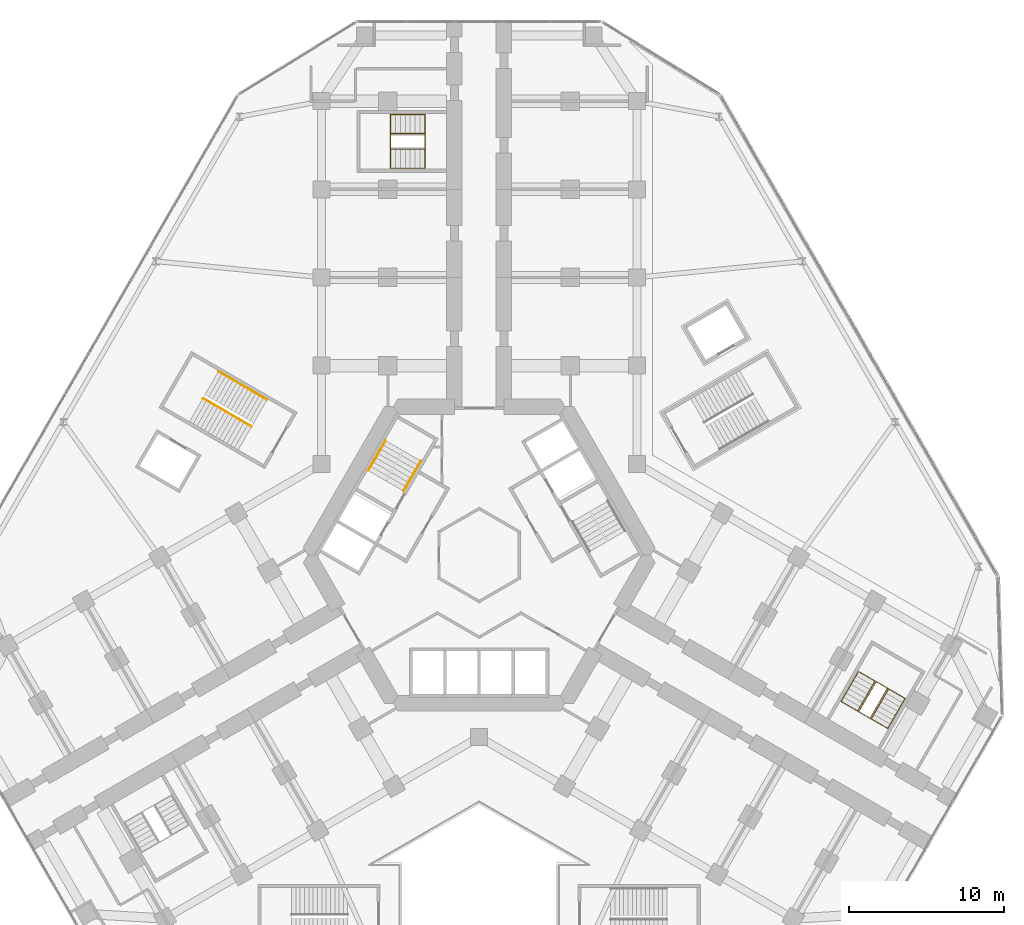
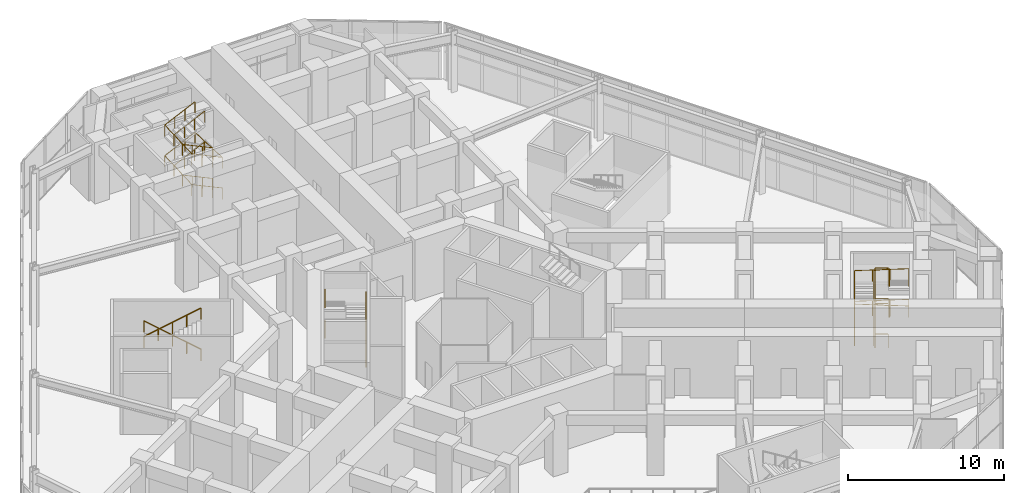
# One storey, part 21 of 22: 11 railings.
"""IFC4 building model written with IfcOpenShell, lengths in metres."""

from ifc_helpers import new_model, si_unit, direction, frame, origin, origin_2d, place, context, subcontext, project, spatial, circle, extrude, material, type_object, element, save


model = new_model("IFC4")

# Units and contexts
model_context = context("Model", 3, precision=1e-05, world=origin(), true_north=direction((0.0, 1.0)))
body_context = subcontext(model_context, "Body", "Model", "MODEL_VIEW")
ifc_project = project(units=[si_unit("LENGTHUNIT", "METRE"), si_unit("AREAUNIT", "SQUARE_METRE"), si_unit("VOLUMEUNIT", "CUBIC_METRE"), si_unit("PLANEANGLEUNIT", "RADIAN"), si_unit("MASSUNIT", "GRAM", prefix="KILO")], contexts=[model_context])

# Site, building, storey
site_placement = place(None, origin())
site = spatial("IfcSite", under=ifc_project, at=site_placement, CompositionType="ELEMENT")
building_placement = place(site_placement, origin())
building = spatial("IfcBuilding", under=site, at=building_placement, Name="Kosmar Iwan School Tower", CompositionType="ELEMENT")
storey_placement = place(building_placement, frame((0.0, 0.0, 10.800048828125)))
storey = spatial("IfcBuildingStorey", under=building, at=storey_placement, Name="L02", CompositionType="ELEMENT", Elevation=10.800048828125)

# Railings
ifc_material_1 = material(Name="Black steel", Category="steel")
railing_type_1 = type_object("IfcRailingType", Name="Stair handrail 900", PredefinedType="HANDRAIL", material=ifc_material_1)
railing_1_placement = place(storey_placement, frame((-4.89453125, 4.142333984375, 0.14990234375)))
element("IfcRailing", 1, at=railing_1_placement, inside=storey, type_object=railing_type_1, Name="Handrail ST2 flight 1", PredefinedType="HANDRAIL", context=body_context, shape_type="SweptSolid", body=[
    extrude(circle(Radius=0.02392578125, at=origin_2d()), frame((0.0, 0.0, 0.8759765625), z_axis=(0.45267848932, 0.784169015945, 0.424453931233), x_axis=(-0.866054910533, 0.49994888933, 0.0)), (0.0, 0.0, 1.0), 2.473876953125),
    extrude(circle(Radius=0.02099609375, at=origin_2d()), origin(), (0.0, 0.0, 1.0), 0.851806640625),
    extrude(circle(Radius=0.02099609375, at=origin_2d()), frame((0.373291015625, 0.646728515625, 0.35009765625)), (0.0, 0.0, 1.0), 0.851806640625),
    extrude(circle(Radius=0.02099609375, at=origin_2d()), frame((0.74658203125, 1.293212890625, 0.699951171875)), (0.0, 0.0, 1.0), 0.851806640625),
    extrude(circle(Radius=0.02099609375, at=origin_2d()), frame((1.119873046875, 1.93994140625, 1.050048828125)), (0.0, 0.0, 1.0), 0.851806640625),
])
railing_2_placement = place(storey_placement, frame((-6.05224609375, 7.397216796875, 1.349853515625)))
element("IfcRailing", 2, at=railing_2_placement, inside=storey, type_object=railing_type_1, Name="Handrail ST2 flight 2", PredefinedType="HANDRAIL", context=body_context, shape_type="SweptSolid", body=[
    extrude(circle(Radius=0.02392578125, at=origin_2d()), frame((0.0, 0.0, 0.8759765625), z_axis=(-0.452756948549, -0.784133982819, 0.424434968551), x_axis=(0.866007717299, -0.500030632641, 0.0)), (0.0, 0.0, 1.0), 2.473876953125),
    extrude(circle(Radius=0.02099609375, at=origin_2d()), origin(), (0.0, 0.0, 1.0), 0.851806640625),
    extrude(circle(Radius=0.02099609375, at=origin_2d()), frame((-0.373291015625, -0.646728515625, 0.35009765625)), (0.0, 0.0, 1.0), 0.851806640625),
    extrude(circle(Radius=0.02099609375, at=origin_2d()), frame((-0.746826171875, -1.293212890625, 0.699951171875)), (0.0, 0.0, 1.0), 0.851806640625),
    extrude(circle(Radius=0.02099609375, at=origin_2d()), frame((-1.1201171875, -1.93994140625, 1.050048828125)), (0.0, 0.0, 1.0), 0.851806640625),
])
railing_3_placement = place(storey_placement, frame((-4.89453125, 4.142333984375, 2.550048828125)))
element("IfcRailing", 3, at=railing_3_placement, inside=storey, type_object=railing_type_1, Name="Handrail ST2 flight 3", PredefinedType="HANDRAIL", context=body_context, shape_type="SweptSolid", body=[
    extrude(circle(Radius=0.02392578125, at=origin_2d()), frame((0.0, 0.0, 0.8759765625), z_axis=(0.452697450193, 0.784201861617, 0.424373018494), x_axis=(-0.866054910533, 0.49994888933, 0.0)), (0.0, 0.0, 1.0), 2.473876953125),
    extrude(circle(Radius=0.02099609375, at=origin_2d()), origin(), (0.0, 0.0, 1.0), 0.851806640625),
    extrude(circle(Radius=0.02099609375, at=origin_2d()), frame((0.373291015625, 0.646728515625, 0.349853515625)), (0.0, 0.0, 1.0), 0.851806640625),
    extrude(circle(Radius=0.02099609375, at=origin_2d()), frame((0.74658203125, 1.293212890625, 0.699951171875)), (0.0, 0.0, 1.0), 0.851806640625),
    extrude(circle(Radius=0.02099609375, at=origin_2d()), frame((1.119873046875, 1.93994140625, 1.0498046875)), (0.0, 0.0, 1.0), 0.851806640625),
])
railing_4_placement = place(storey_placement, frame((-6.05224609375, 7.397216796875, 3.75)))
element("IfcRailing", 4, at=railing_4_placement, inside=storey, type_object=railing_type_1, Name="Handrail ST2 flight 4", PredefinedType="HANDRAIL", context=body_context, shape_type="SweptSolid", body=[
    extrude(circle(Radius=0.02392578125, at=origin_2d()), frame((0.0, 0.0, 0.8759765625), z_axis=(-0.452756948549, -0.784133982819, 0.424434968551), x_axis=(0.866007717299, -0.500030632641, 0.0)), (0.0, 0.0, 1.0), 2.473876953125),
    extrude(circle(Radius=0.02099609375, at=origin_2d()), origin(), (0.0, 0.0, 1.0), 0.851806640625),
    extrude(circle(Radius=0.02099609375, at=origin_2d()), frame((-0.373291015625, -0.646728515625, 0.35009765625)), (0.0, 0.0, 1.0), 0.851806640625),
    extrude(circle(Radius=0.02099609375, at=origin_2d()), frame((-0.746826171875, -1.293212890625, 0.699951171875)), (0.0, 0.0, 1.0), 0.851806640625),
    extrude(circle(Radius=0.02099609375, at=origin_2d()), frame((-1.1201171875, -1.93994140625, 1.050048828125)), (0.0, 0.0, 1.0), 0.851806640625),
])
railing_5_placement = place(storey_placement, frame((-3.5, 25.010009765625, 0.14990234375)))
element("IfcRailing", 5, at=railing_5_placement, inside=storey, type_object=railing_type_1, Name="Handrail stair WS1 L02 wall side", PredefinedType="HANDRAIL", context=body_context, shape_type="SweptSolid", body=[
    extrude(circle(Radius=0.02392578125, at=origin_2d()), frame((0.0, 0.0, 0.8759765625), z_axis=(-0.905450639465, 0.0, 0.424451574969), x_axis=(0.0, -1.0, 0.0)), (0.0, 0.0, 1.0), 2.473876953125),
    extrude(circle(Radius=0.02392578125, at=origin_2d()), frame((-2.239990234375, 0.0, 1.92578125), z_axis=(0.0, 0.999073534241, 0.0430357198), x_axis=(-1.0, 0.0, 0.0)), (0.0, 0.0, 1.0), 3.483154296875),
    extrude(circle(Radius=0.02392578125, at=origin_2d()), frame((-2.239990234375, 3.47998046875, 2.07568359375), z_axis=(0.905450639465, 0.0, 0.424451574969), x_axis=(0.0, 1.0, 0.0)), (0.0, 0.0, 1.0), 2.473876953125),
    extrude(circle(Radius=0.02392578125, at=origin_2d()), frame((0.0, 3.47998046875, 3.1259765625), z_axis=(0.0, -0.99907051819, 0.043105680419), x_axis=(1.0, 0.0, 0.0)), (0.0, 0.0, 1.0), 3.483154296875),
    extrude(circle(Radius=0.02392578125, at=origin_2d()), frame((0.0, 0.0, 3.27587890625), z_axis=(-0.905488564713, 0.0, 0.424370662481), x_axis=(0.0, -1.0, 0.0)), (0.0, 0.0, 1.0), 2.473876953125),
    extrude(circle(Radius=0.02392578125, at=origin_2d()), frame((-2.239990234375, 0.0, 4.32568359375), z_axis=(0.0, 0.99907051819, 0.043105680419), x_axis=(-1.0, 0.0, 0.0)), (0.0, 0.0, 1.0), 3.483154296875),
    extrude(circle(Radius=0.02392578125, at=origin_2d()), frame((-2.239990234375, 3.47998046875, 4.47607421875), z_axis=(0.905450639465, 0.0, 0.424451574969), x_axis=(0.0, 1.0, 0.0)), (0.0, 0.0, 1.0), 2.473876953125),
    extrude(circle(Radius=0.02099609375, at=origin_2d()), origin(), (0.0, 0.0, 1.0), 0.851806640625),
    extrude(circle(Radius=0.02099609375, at=origin_2d()), frame((-0.74658203125, 0.0, 0.35009765625)), (0.0, 0.0, 1.0), 0.851806640625),
    extrude(circle(Radius=0.02099609375, at=origin_2d()), frame((-1.493408203125, 0.0, 0.699951171875)), (0.0, 0.0, 1.0), 0.851806640625),
    extrude(circle(Radius=0.02099609375, at=origin_2d()), frame((-2.239990234375, 0.0, 1.050048828125)), (0.0, 0.0, 1.0), 0.851806640625),
    extrude(circle(Radius=0.02099609375, at=origin_2d()), frame((-2.239990234375, 1.159912109375, 1.10009765625)), (0.0, 0.0, 1.0), 0.851806640625),
    extrude(circle(Radius=0.02099609375, at=origin_2d()), frame((-2.239990234375, 2.320068359375, 1.14990234375)), (0.0, 0.0, 1.0), 0.851806640625),
    extrude(circle(Radius=0.02099609375, at=origin_2d()), frame((-2.239990234375, 3.47998046875, 1.199951171875)), (0.0, 0.0, 1.0), 0.851806640625),
    extrude(circle(Radius=0.02099609375, at=origin_2d()), frame((-1.493408203125, 3.47998046875, 1.550048828125)), (0.0, 0.0, 1.0), 0.851806640625),
    extrude(circle(Radius=0.02099609375, at=origin_2d()), frame((-0.74658203125, 3.47998046875, 1.89990234375)), (0.0, 0.0, 1.0), 0.851806640625),
    extrude(circle(Radius=0.02099609375, at=origin_2d()), frame((0.0, 3.47998046875, 2.25)), (0.0, 0.0, 1.0), 0.851806640625),
    extrude(circle(Radius=0.02099609375, at=origin_2d()), frame((0.0, 2.320068359375, 2.300048828125)), (0.0, 0.0, 1.0), 0.851806640625),
    extrude(circle(Radius=0.02099609375, at=origin_2d()), frame((0.0, 1.159912109375, 2.35009765625)), (0.0, 0.0, 1.0), 0.851806640625),
    extrude(circle(Radius=0.02099609375, at=origin_2d()), frame((0.0, 0.0, 2.400146484375)), (0.0, 0.0, 1.0), 0.851806640625),
    extrude(circle(Radius=0.02099609375, at=origin_2d()), frame((-0.74658203125, 0.0, 2.75)), (0.0, 0.0, 1.0), 0.851806640625),
    extrude(circle(Radius=0.02099609375, at=origin_2d()), frame((-1.493408203125, 0.0, 3.10009765625)), (0.0, 0.0, 1.0), 0.851806640625),
    extrude(circle(Radius=0.02099609375, at=origin_2d()), frame((-2.239990234375, 0.0, 3.449951171875)), (0.0, 0.0, 1.0), 0.851806640625),
    extrude(circle(Radius=0.02099609375, at=origin_2d()), frame((-2.239990234375, 1.159912109375, 3.5)), (0.0, 0.0, 1.0), 0.851806640625),
    extrude(circle(Radius=0.02099609375, at=origin_2d()), frame((-2.239990234375, 2.320068359375, 3.550048828125)), (0.0, 0.0, 1.0), 0.851806640625),
    extrude(circle(Radius=0.02099609375, at=origin_2d()), frame((-2.239990234375, 3.47998046875, 3.60009765625)), (0.0, 0.0, 1.0), 0.851806640625),
    extrude(circle(Radius=0.02099609375, at=origin_2d()), frame((-1.493408203125, 3.47998046875, 3.9501953125)), (0.0, 0.0, 1.0), 0.851806640625),
    extrude(circle(Radius=0.02099609375, at=origin_2d()), frame((-0.74658203125, 3.47998046875, 4.300048828125)), (0.0, 0.0, 1.0), 0.851806640625),
    extrude(circle(Radius=0.02099609375, at=origin_2d()), frame((0.0, 3.47998046875, 4.650146484375)), (0.0, 0.0, 1.0), 0.851806640625),
])
railing_6_placement = place(storey_placement, frame((-3.5, 26.239990234375, 0.14990234375)))
element("IfcRailing", 6, at=railing_6_placement, inside=storey, type_object=railing_type_1, Name="Handrail stair WS1 L02 well side", PredefinedType="HANDRAIL", context=body_context, shape_type="SweptSolid", body=[
    extrude(circle(Radius=0.02392578125, at=origin_2d()), frame((0.0, 0.0, 0.8759765625), z_axis=(-0.905450639465, 0.0, 0.424451574969), x_axis=(0.0, -1.0, 0.0)), (0.0, 0.0, 1.0), 2.473876953125),
    extrude(circle(Radius=0.02392578125, at=origin_2d()), frame((-2.239990234375, 0.0, 1.92578125), z_axis=(0.0, 0.989373166647, 0.145398545793), x_axis=(-1.0, 0.0, 0.0)), (0.0, 0.0, 1.0), 1.031005859375),
    extrude(circle(Radius=0.02392578125, at=origin_2d()), frame((-2.239990234375, 1.02001953125, 2.07568359375), z_axis=(0.905450639465, 0.0, 0.424451574969), x_axis=(0.0, 1.0, 0.0)), (0.0, 0.0, 1.0), 2.473876953125),
    extrude(circle(Radius=0.02392578125, at=origin_2d()), frame((0.0, 1.02001953125, 3.1259765625), z_axis=(0.0, -0.989339075395, 0.145630333023), x_axis=(1.0, 0.0, 0.0)), (0.0, 0.0, 1.0), 1.031005859375),
    extrude(circle(Radius=0.02392578125, at=origin_2d()), frame((0.0, 0.0, 3.27587890625), z_axis=(-0.905488564713, 0.0, 0.424370662481), x_axis=(0.0, -1.0, 0.0)), (0.0, 0.0, 1.0), 2.473876953125),
    extrude(circle(Radius=0.02392578125, at=origin_2d()), frame((-2.239990234375, 0.0, 4.32568359375), z_axis=(0.0, 0.989339075395, 0.145630333023), x_axis=(-1.0, 0.0, 0.0)), (0.0, 0.0, 1.0), 1.031005859375),
    extrude(circle(Radius=0.02392578125, at=origin_2d()), frame((-2.239990234375, 1.02001953125, 4.47607421875), z_axis=(0.905450639465, 0.0, 0.424451574969), x_axis=(0.0, 1.0, 0.0)), (0.0, 0.0, 1.0), 2.473876953125),
    extrude(circle(Radius=0.02099609375, at=origin_2d()), origin(), (0.0, 0.0, 1.0), 0.851806640625),
    extrude(circle(Radius=0.02099609375, at=origin_2d()), frame((-0.74658203125, 0.0, 0.35009765625)), (0.0, 0.0, 1.0), 0.851806640625),
    extrude(circle(Radius=0.02099609375, at=origin_2d()), frame((-1.493408203125, 0.0, 0.699951171875)), (0.0, 0.0, 1.0), 0.851806640625),
    extrude(circle(Radius=0.02099609375, at=origin_2d()), frame((-2.239990234375, 0.0, 1.050048828125)), (0.0, 0.0, 1.0), 0.851806640625),
    extrude(circle(Radius=0.02099609375, at=origin_2d()), frame((-2.239990234375, 1.02001953125, 1.199951171875)), (0.0, 0.0, 1.0), 0.851806640625),
    extrude(circle(Radius=0.02099609375, at=origin_2d()), frame((-1.493408203125, 1.02001953125, 1.550048828125)), (0.0, 0.0, 1.0), 0.851806640625),
    extrude(circle(Radius=0.02099609375, at=origin_2d()), frame((-0.74658203125, 1.02001953125, 1.89990234375)), (0.0, 0.0, 1.0), 0.851806640625),
    extrude(circle(Radius=0.02099609375, at=origin_2d()), frame((0.0, 1.02001953125, 2.25)), (0.0, 0.0, 1.0), 0.851806640625),
    extrude(circle(Radius=0.02099609375, at=origin_2d()), frame((0.0, 0.0, 2.400146484375)), (0.0, 0.0, 1.0), 0.851806640625),
    extrude(circle(Radius=0.02099609375, at=origin_2d()), frame((-0.74658203125, 0.0, 2.75)), (0.0, 0.0, 1.0), 0.851806640625),
    extrude(circle(Radius=0.02099609375, at=origin_2d()), frame((-1.493408203125, 0.0, 3.10009765625)), (0.0, 0.0, 1.0), 0.851806640625),
    extrude(circle(Radius=0.02099609375, at=origin_2d()), frame((-2.239990234375, 0.0, 3.449951171875)), (0.0, 0.0, 1.0), 0.851806640625),
    extrude(circle(Radius=0.02099609375, at=origin_2d()), frame((-2.239990234375, 1.02001953125, 3.60009765625)), (0.0, 0.0, 1.0), 0.851806640625),
    extrude(circle(Radius=0.02099609375, at=origin_2d()), frame((-1.493408203125, 1.02001953125, 3.9501953125)), (0.0, 0.0, 1.0), 0.851806640625),
    extrude(circle(Radius=0.02099609375, at=origin_2d()), frame((-0.74658203125, 1.02001953125, 4.300048828125)), (0.0, 0.0, 1.0), 0.851806640625),
    extrude(circle(Radius=0.02099609375, at=origin_2d()), frame((0.0, 1.02001953125, 4.650146484375)), (0.0, 0.0, 1.0), 0.851806640625),
])
railing_7_placement = place(storey_placement, frame((23.4091796875, -9.473876953125, 0.14990234375)))
element("IfcRailing", 7, at=railing_7_placement, inside=storey, type_object=railing_type_1, Name="Handrail stair WS3 L02 wall side", PredefinedType="HANDRAIL", context=body_context, shape_type="SweptSolid", body=[
    extrude(circle(Radius=0.02392578125, at=origin_2d()), frame((0.0, 0.0, 0.8759765625), z_axis=(0.452756948549, 0.784133982819, 0.424434968551), x_axis=(-0.866007717299, 0.500030632641, 0.0)), (0.0, 0.0, 1.0), 2.473876953125),
    extrude(circle(Radius=0.02392578125, at=origin_2d()), frame((1.1201171875, 1.93994140625, 1.92578125), z_axis=(0.865217314736, -0.499546646316, 0.043036570905), x_axis=(0.500009906705, 0.86601968407, 0.0)), (0.0, 0.0, 1.0), 3.483154296875),
    extrude(circle(Radius=0.02392578125, at=origin_2d()), frame((4.1337890625, 0.199951171875, 2.07568359375), z_axis=(-0.45267848932, -0.784169015945, 0.424453931233), x_axis=(0.866054910533, -0.49994888933, 0.0)), (0.0, 0.0, 1.0), 2.473876953125),
    extrude(circle(Radius=0.02392578125, at=origin_2d()), frame((3.013916015625, -1.739990234375, 3.1259765625), z_axis=(-0.865232322426, 0.499514845033, 0.043103918857), x_axis=(-0.499979528911, -0.866037222451, 0.0)), (0.0, 0.0, 1.0), 3.4833984375),
    extrude(circle(Radius=0.02392578125, at=origin_2d()), frame((0.0, 0.0, 3.27587890625), z_axis=(0.452775911014, 0.784166824089, 0.424354057838), x_axis=(-0.866007717299, 0.500030632641, 0.0)), (0.0, 0.0, 1.0), 2.473876953125),
    extrude(circle(Radius=0.02392578125, at=origin_2d()), frame((1.1201171875, 1.93994140625, 4.32568359375), z_axis=(0.865214702673, -0.499545138201, 0.043106532902), x_axis=(0.500009906705, 0.86601968407, 0.0)), (0.0, 0.0, 1.0), 3.483154296875),
    extrude(circle(Radius=0.02392578125, at=origin_2d()), frame((4.1337890625, 0.199951171875, 4.47607421875), z_axis=(-0.45267848932, -0.784169015945, 0.424453931233), x_axis=(0.866054910533, -0.49994888933, 0.0)), (0.0, 0.0, 1.0), 2.473876953125),
    extrude(circle(Radius=0.02099609375, at=origin_2d()), origin(), (0.0, 0.0, 1.0), 0.851806640625),
    extrude(circle(Radius=0.02099609375, at=origin_2d()), frame((0.373291015625, 0.646728515625, 0.35009765625)), (0.0, 0.0, 1.0), 0.851806640625),
    extrude(circle(Radius=0.02099609375, at=origin_2d()), frame((0.746826171875, 1.293212890625, 0.699951171875)), (0.0, 0.0, 1.0), 0.851806640625),
    extrude(circle(Radius=0.02099609375, at=origin_2d()), frame((1.1201171875, 1.93994140625, 1.050048828125)), (0.0, 0.0, 1.0), 0.851806640625),
    extrude(circle(Radius=0.02099609375, at=origin_2d()), frame((2.124755859375, 1.35986328125, 1.10009765625)), (0.0, 0.0, 1.0), 0.851806640625),
    extrude(circle(Radius=0.02099609375, at=origin_2d()), frame((3.129150390625, 0.780029296875, 1.14990234375)), (0.0, 0.0, 1.0), 0.851806640625),
    extrude(circle(Radius=0.02099609375, at=origin_2d()), frame((4.1337890625, 0.199951171875, 1.199951171875)), (0.0, 0.0, 1.0), 0.851806640625),
    extrude(circle(Radius=0.02099609375, at=origin_2d()), frame((3.760498046875, -0.44677734375, 1.550048828125)), (0.0, 0.0, 1.0), 0.851806640625),
    extrude(circle(Radius=0.02099609375, at=origin_2d()), frame((3.38720703125, -1.09326171875, 1.89990234375)), (0.0, 0.0, 1.0), 0.851806640625),
    extrude(circle(Radius=0.02099609375, at=origin_2d()), frame((3.013916015625, -1.739990234375, 2.25)), (0.0, 0.0, 1.0), 0.851806640625),
    extrude(circle(Radius=0.02099609375, at=origin_2d()), frame((2.00927734375, -1.159912109375, 2.300048828125)), (0.0, 0.0, 1.0), 0.851806640625),
    extrude(circle(Radius=0.02099609375, at=origin_2d()), frame((1.004638671875, -0.580078125, 2.35009765625)), (0.0, 0.0, 1.0), 0.851806640625),
    extrude(circle(Radius=0.02099609375, at=origin_2d()), frame((0.0, 0.0, 2.400146484375)), (0.0, 0.0, 1.0), 0.851806640625),
    extrude(circle(Radius=0.02099609375, at=origin_2d()), frame((0.373291015625, 0.646728515625, 2.75)), (0.0, 0.0, 1.0), 0.851806640625),
    extrude(circle(Radius=0.02099609375, at=origin_2d()), frame((0.746826171875, 1.293212890625, 3.10009765625)), (0.0, 0.0, 1.0), 0.851806640625),
    extrude(circle(Radius=0.02099609375, at=origin_2d()), frame((1.1201171875, 1.93994140625, 3.449951171875)), (0.0, 0.0, 1.0), 0.851806640625),
    extrude(circle(Radius=0.02099609375, at=origin_2d()), frame((2.124755859375, 1.35986328125, 3.5)), (0.0, 0.0, 1.0), 0.851806640625),
    extrude(circle(Radius=0.02099609375, at=origin_2d()), frame((3.129150390625, 0.780029296875, 3.550048828125)), (0.0, 0.0, 1.0), 0.851806640625),
    extrude(circle(Radius=0.02099609375, at=origin_2d()), frame((4.1337890625, 0.199951171875, 3.60009765625)), (0.0, 0.0, 1.0), 0.851806640625),
    extrude(circle(Radius=0.02099609375, at=origin_2d()), frame((3.760498046875, -0.44677734375, 3.9501953125)), (0.0, 0.0, 1.0), 0.851806640625),
    extrude(circle(Radius=0.02099609375, at=origin_2d()), frame((3.38720703125, -1.09326171875, 4.300048828125)), (0.0, 0.0, 1.0), 0.851806640625),
    extrude(circle(Radius=0.02099609375, at=origin_2d()), frame((3.013916015625, -1.739990234375, 4.650146484375)), (0.0, 0.0, 1.0), 0.851806640625),
])
railing_8_placement = place(storey_placement, frame((24.474609375, -10.0888671875, 0.14990234375)))
element("IfcRailing", 8, at=railing_8_placement, inside=storey, type_object=railing_type_1, Name="Handrail stair WS3 L02 well side", PredefinedType="HANDRAIL", context=body_context, shape_type="SweptSolid", body=[
    extrude(circle(Radius=0.02392578125, at=origin_2d()), frame((0.0, 0.0, 0.8759765625), z_axis=(0.45267848932, 0.784169015945, 0.424453931233), x_axis=(-0.866054910533, 0.49994888933, 0.0)), (0.0, 0.0, 1.0), 2.473876953125),
    extrude(circle(Radius=0.02392578125, at=origin_2d()), frame((1.119873046875, 1.93994140625, 1.92578125), z_axis=(0.856806295441, -0.494712092641, 0.145406043505), x_axis=(0.500026340207, 0.866010195725, 0.0)), (0.0, 0.0, 1.0), 1.031005859375),
    extrude(circle(Radius=0.02392578125, at=origin_2d()), frame((2.003173828125, 1.429931640625, 2.07568359375), z_axis=(-0.45267848932, -0.784169015945, 0.424453931233), x_axis=(0.866054910533, -0.49994888933, 0.0)), (0.0, 0.0, 1.0), 2.473876953125),
    extrude(circle(Radius=0.02392578125, at=origin_2d()), frame((0.88330078125, -0.510009765625, 3.1259765625), z_axis=(-0.856776769057, 0.494695044378, 0.14563784217), x_axis=(-0.500026340207, -0.866010195725, 0.0)), (0.0, 0.0, 1.0), 1.031005859375),
    extrude(circle(Radius=0.02392578125, at=origin_2d()), frame((0.0, 0.0, 3.27587890625), z_axis=(0.452697450193, 0.784201861617, 0.424373018494), x_axis=(-0.866054910533, 0.49994888933, 0.0)), (0.0, 0.0, 1.0), 2.473876953125),
    extrude(circle(Radius=0.02392578125, at=origin_2d()), frame((1.119873046875, 1.93994140625, 4.32568359375), z_axis=(0.856776769057, -0.494695044378, 0.14563784217), x_axis=(0.500026340207, 0.866010195725, 0.0)), (0.0, 0.0, 1.0), 1.031005859375),
    extrude(circle(Radius=0.02392578125, at=origin_2d()), frame((2.003173828125, 1.429931640625, 4.47607421875), z_axis=(-0.45267848932, -0.784169015945, 0.424453931233), x_axis=(0.866054910533, -0.49994888933, 0.0)), (0.0, 0.0, 1.0), 2.473876953125),
    extrude(circle(Radius=0.02099609375, at=origin_2d()), origin(), (0.0, 0.0, 1.0), 0.851806640625),
    extrude(circle(Radius=0.02099609375, at=origin_2d()), frame((0.373291015625, 0.646728515625, 0.35009765625)), (0.0, 0.0, 1.0), 0.851806640625),
    extrude(circle(Radius=0.02099609375, at=origin_2d()), frame((0.74658203125, 1.293212890625, 0.699951171875)), (0.0, 0.0, 1.0), 0.851806640625),
    extrude(circle(Radius=0.02099609375, at=origin_2d()), frame((1.119873046875, 1.93994140625, 1.050048828125)), (0.0, 0.0, 1.0), 0.851806640625),
    extrude(circle(Radius=0.02099609375, at=origin_2d()), frame((2.003173828125, 1.429931640625, 1.199951171875)), (0.0, 0.0, 1.0), 0.851806640625),
    extrude(circle(Radius=0.02099609375, at=origin_2d()), frame((1.6298828125, 0.783203125, 1.550048828125)), (0.0, 0.0, 1.0), 0.851806640625),
    extrude(circle(Radius=0.02099609375, at=origin_2d()), frame((1.256591796875, 0.13671875, 1.89990234375)), (0.0, 0.0, 1.0), 0.851806640625),
    extrude(circle(Radius=0.02099609375, at=origin_2d()), frame((0.88330078125, -0.510009765625, 2.25)), (0.0, 0.0, 1.0), 0.851806640625),
    extrude(circle(Radius=0.02099609375, at=origin_2d()), frame((0.0, 0.0, 2.400146484375)), (0.0, 0.0, 1.0), 0.851806640625),
    extrude(circle(Radius=0.02099609375, at=origin_2d()), frame((0.373291015625, 0.646728515625, 2.75)), (0.0, 0.0, 1.0), 0.851806640625),
    extrude(circle(Radius=0.02099609375, at=origin_2d()), frame((0.74658203125, 1.293212890625, 3.10009765625)), (0.0, 0.0, 1.0), 0.851806640625),
    extrude(circle(Radius=0.02099609375, at=origin_2d()), frame((1.119873046875, 1.93994140625, 3.449951171875)), (0.0, 0.0, 1.0), 0.851806640625),
    extrude(circle(Radius=0.02099609375, at=origin_2d()), frame((2.003173828125, 1.429931640625, 3.60009765625)), (0.0, 0.0, 1.0), 0.851806640625),
    extrude(circle(Radius=0.02099609375, at=origin_2d()), frame((1.6298828125, 0.783203125, 3.9501953125)), (0.0, 0.0, 1.0), 0.851806640625),
    extrude(circle(Radius=0.02099609375, at=origin_2d()), frame((1.256591796875, 0.13671875, 4.300048828125)), (0.0, 0.0, 1.0), 0.851806640625),
    extrude(circle(Radius=0.02099609375, at=origin_2d()), frame((0.88330078125, -0.510009765625, 4.650146484375)), (0.0, 0.0, 1.0), 0.851806640625),
])
railing_9_placement = place(storey_placement, frame((-13.7158203125, 10.04345703125, 0.17138671875)))
element("IfcRailing", 9, at=railing_9_placement, inside=storey, type_object=railing_type_1, Name="Handrail SS4 flight 1", PredefinedType="HANDRAIL", context=body_context, shape_type="SweptSolid", body=[
    extrude(circle(Radius=0.02392578125, at=origin_2d()), frame((0.0, 0.0, 0.8759765625), z_axis=(-0.738592093898, 0.426440834883, 0.522139764025), x_axis=(-0.500012742938, -0.866018046521, 0.0)), (0.0, 0.0, 1.0), 4.26806640625),
    extrude(circle(Radius=0.02099609375, at=origin_2d()), origin(), (0.0, 0.0, 1.0), 0.851806640625),
    extrude(circle(Radius=0.02099609375, at=origin_2d()), frame((-0.7880859375, 0.455078125, 0.55712890625)), (0.0, 0.0, 1.0), 0.851806640625),
    extrude(circle(Radius=0.02099609375, at=origin_2d()), frame((-1.576171875, 0.91015625, 1.1142578125)), (0.0, 0.0, 1.0), 0.851806640625),
    extrude(circle(Radius=0.02099609375, at=origin_2d()), frame((-2.3642578125, 1.364990234375, 1.67138671875)), (0.0, 0.0, 1.0), 0.851806640625),
    extrude(circle(Radius=0.02099609375, at=origin_2d()), frame((-3.15234375, 1.820068359375, 2.228515625)), (0.0, 0.0, 1.0), 0.851806640625),
])
railing_10_placement = place(storey_placement, frame((-17.8681640625, 10.13134765625, 2.5712890625)))
element("IfcRailing", 10, at=railing_10_placement, inside=storey, type_object=railing_type_1, Name="Handrail SS4 flight 2", PredefinedType="HANDRAIL", context=body_context, shape_type="SweptSolid", body=[
    extrude(circle(Radius=0.02392578125, at=origin_2d()), frame((0.0, 0.0, 0.8759765625), z_axis=(0.738588048336, -0.426381297421, 0.522194105736), x_axis=(0.499962438169, 0.866047089031, 0.0)), (0.0, 0.0, 1.0), 4.26806640625),
    extrude(circle(Radius=0.02099609375, at=origin_2d()), origin(), (0.0, 0.0, 1.0), 0.851806640625),
    extrude(circle(Radius=0.02099609375, at=origin_2d()), frame((0.7880859375, -0.455078125, 0.55712890625)), (0.0, 0.0, 1.0), 0.851806640625),
    extrude(circle(Radius=0.02099609375, at=origin_2d()), frame((1.576171875, -0.909912109375, 1.1142578125)), (0.0, 0.0, 1.0), 0.851806640625),
    extrude(circle(Radius=0.02099609375, at=origin_2d()), frame((2.3642578125, -1.36474609375, 1.671630859375)), (0.0, 0.0, 1.0), 0.851806640625),
    extrude(circle(Radius=0.02099609375, at=origin_2d()), frame((3.15234375, -1.81982421875, 2.228759765625)), (0.0, 0.0, 1.0), 0.851806640625),
])
ifc_material_2 = material(Name="Black steel", Category="steel")
railing_type_2 = type_object("IfcRailingType", Name="Stair well guard 1100", PredefinedType="GUARDRAIL", material=ifc_material_2)
railing_11_placement = place(storey_placement, frame((25.280029296875, -10.553955078125, 0.0)))
element("IfcRailing", 11, at=railing_11_placement, inside=storey, type_object=railing_type_2, Name="Stair WS3 L02 well guard", PredefinedType="GUARDRAIL", context=body_context, shape_type="SweptSolid", body=[
    extrude(circle(Radius=0.02392578125, at=origin_2d()), frame((0.0, 0.0, 1.076171875), z_axis=(-0.865962960534, 0.500108139288, 0.0), x_axis=(-0.500108139288, -0.865962960534, 0.0)), (0.0, 0.0, 1.0), 0.840087890625),
    extrude(circle(Radius=0.02392578125, at=origin_2d()), frame((-0.7275390625, 0.420166015625, 1.076171875), z_axis=(0.440730161534, 0.763375001828, 0.472245202515), x_axis=(-0.866027664105, 0.49999608499, 0.0)), (0.0, 0.0, 1.0), 2.541015625),
    extrude(circle(Radius=0.02392578125, at=origin_2d()), frame((0.392333984375, 2.35986328125, 2.27587890625), z_axis=(0.866088799389, -0.499890179513, 0.0), x_axis=(0.499890179513, 0.866088799389, 0.0)), (0.0, 0.0, 1.0), 0.840087890625),
    extrude(circle(Radius=0.02392578125, at=origin_2d()), frame((1.119873046875, 1.93994140625, 2.27587890625), z_axis=(-0.44069783685, -0.763415088643, 0.472210566408), x_axis=(0.866054910533, -0.49994888933, 0.0)), (0.0, 0.0, 1.0), 2.541015625),
    extrude(circle(Radius=0.02392578125, at=origin_2d()), frame((0.0, 0.0, 3.47607421875), z_axis=(-0.865962960534, 0.500108139288, 0.0), x_axis=(-0.500108139288, -0.865962960534, 0.0)), (0.0, 0.0, 1.0), 0.840087890625),
    extrude(circle(Radius=0.02392578125, at=origin_2d()), frame((-0.7275390625, 0.420166015625, 3.47607421875), z_axis=(0.440730161534, 0.763375001828, 0.472245202515), x_axis=(-0.866027664105, 0.49999608499, 0.0)), (0.0, 0.0, 1.0), 2.541015625),
    extrude(circle(Radius=0.02392578125, at=origin_2d()), frame((0.392333984375, 2.35986328125, 4.67578125), z_axis=(0.866088799389, -0.499890179513, 0.0), x_axis=(0.499890179513, 0.866088799389, 0.0)), (0.0, 0.0, 1.0), 0.840087890625),
    extrude(circle(Radius=0.02392578125, at=origin_2d()), frame((1.119873046875, 1.93994140625, 4.67578125), z_axis=(-0.440677842678, -0.763380453001, 0.472285213561), x_axis=(0.866054910533, -0.49994888933, 0.0)), (0.0, 0.0, 1.0), 2.541259765625),
    extrude(circle(Radius=0.02099609375, at=origin_2d()), origin(), (0.0, 0.0, 1.0), 1.052001953125),
    extrude(circle(Radius=0.02099609375, at=origin_2d()), frame((-0.7275390625, 0.420166015625, 0.0)), (0.0, 0.0, 1.0), 1.052001953125),
    extrude(circle(Radius=0.02099609375, at=origin_2d()), frame((-0.354248046875, 1.066650390625, 0.39990234375)), (0.0, 0.0, 1.0), 1.052001953125),
    extrude(circle(Radius=0.02099609375, at=origin_2d()), frame((0.01904296875, 1.71337890625, 0.800048828125)), (0.0, 0.0, 1.0), 1.052001953125),
    extrude(circle(Radius=0.02099609375, at=origin_2d()), frame((0.392333984375, 2.35986328125, 1.199951171875)), (0.0, 0.0, 1.0), 1.052001953125),
    extrude(circle(Radius=0.02099609375, at=origin_2d()), frame((1.119873046875, 1.93994140625, 1.199951171875)), (0.0, 0.0, 1.0), 1.052001953125),
    extrude(circle(Radius=0.02099609375, at=origin_2d()), frame((0.74658203125, 1.293212890625, 1.599853515625)), (0.0, 0.0, 1.0), 1.052001953125),
    extrude(circle(Radius=0.02099609375, at=origin_2d()), frame((0.373291015625, 0.646728515625, 2.0)), (0.0, 0.0, 1.0), 1.052001953125),
    extrude(circle(Radius=0.02099609375, at=origin_2d()), frame((0.0, 0.0, 2.39990234375)), (0.0, 0.0, 1.0), 1.052001953125),
    extrude(circle(Radius=0.02099609375, at=origin_2d()), frame((-0.7275390625, 0.420166015625, 2.39990234375)), (0.0, 0.0, 1.0), 1.052001953125),
    extrude(circle(Radius=0.02099609375, at=origin_2d()), frame((-0.354248046875, 1.066650390625, 2.7998046875)), (0.0, 0.0, 1.0), 1.052001953125),
    extrude(circle(Radius=0.02099609375, at=origin_2d()), frame((0.01904296875, 1.71337890625, 3.199951171875)), (0.0, 0.0, 1.0), 1.052001953125),
    extrude(circle(Radius=0.02099609375, at=origin_2d()), frame((0.392333984375, 2.35986328125, 3.599853515625)), (0.0, 0.0, 1.0), 1.052001953125),
    extrude(circle(Radius=0.02099609375, at=origin_2d()), frame((1.119873046875, 1.93994140625, 3.599853515625)), (0.0, 0.0, 1.0), 1.052001953125),
    extrude(circle(Radius=0.02099609375, at=origin_2d()), frame((0.74658203125, 1.293212890625, 4.0)), (0.0, 0.0, 1.0), 1.052001953125),
    extrude(circle(Radius=0.02099609375, at=origin_2d()), frame((0.373291015625, 0.646728515625, 4.39990234375)), (0.0, 0.0, 1.0), 1.052001953125),
    extrude(circle(Radius=0.02099609375, at=origin_2d()), frame((0.0, 0.0, 4.800048828125)), (0.0, 0.0, 1.0), 1.052001953125),
])

save(model, "model.ifc")
